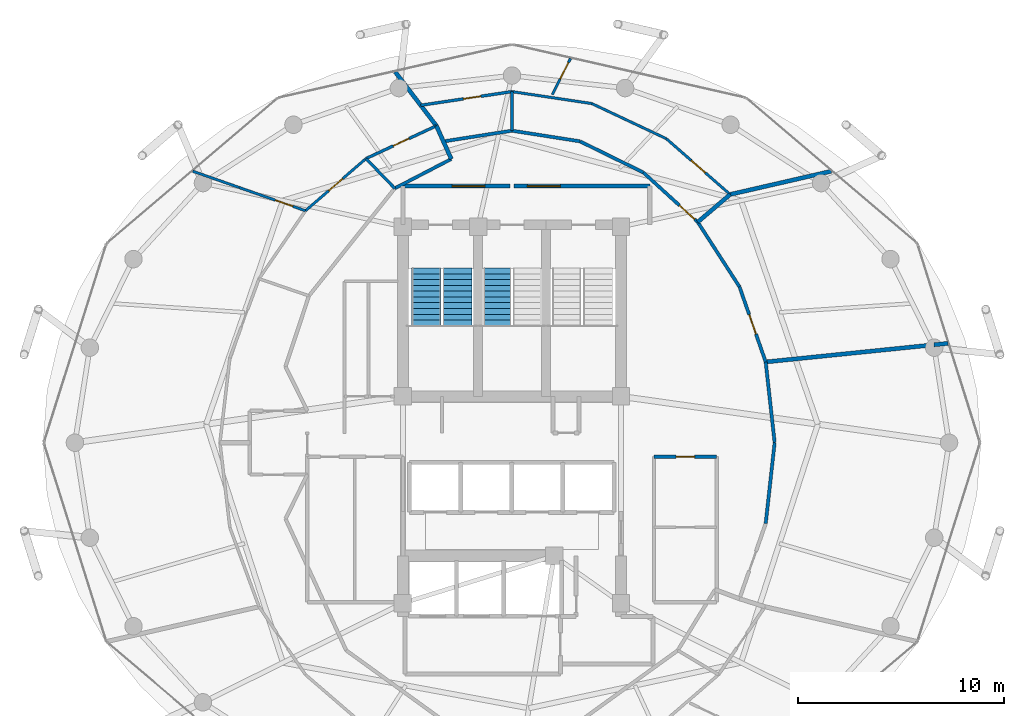
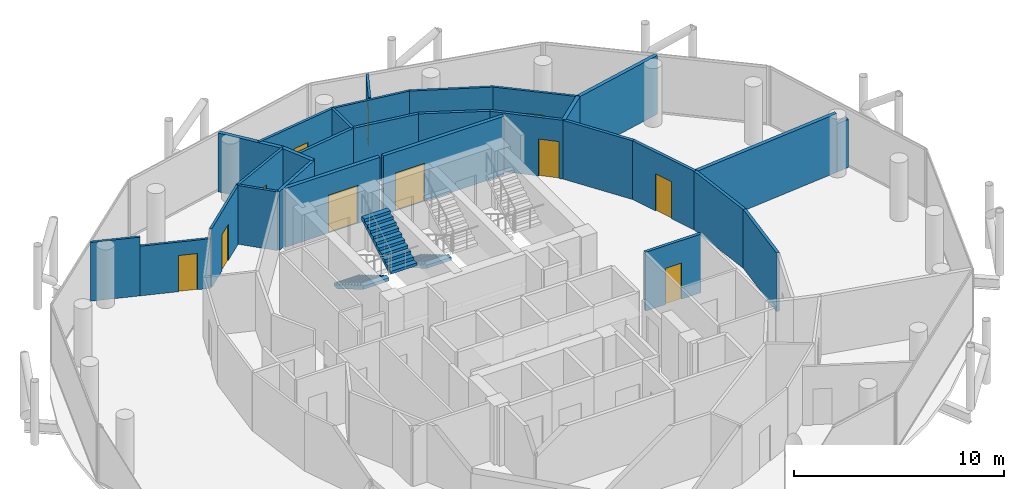
# One storey, part 25 of 27: 29 walls, 11 doors, 3 stair flights, 11 openings, 2 elements without a shape of their own.
"""IFC4 building model written with IfcOpenShell, lengths in metres."""

from ifc_helpers import new_model, si_unit, direction, frame, frame_2d, origin, place, context, subcontext, project, spatial, polyline, rectangle, outline, extrude, material, layer, layer_set, type_object, element, fill, aggregate, save


model = new_model("IFC4")

# Units and contexts
model_context = context("Model", 3, precision=1e-05, world=origin(), true_north=direction((0.0, 1.0)))
body_context = subcontext(model_context, "Body", "Model", "MODEL_VIEW")
ifc_project = project(units=[si_unit("LENGTHUNIT", "METRE"), si_unit("AREAUNIT", "SQUARE_METRE"), si_unit("VOLUMEUNIT", "CUBIC_METRE"), si_unit("PLANEANGLEUNIT", "RADIAN"), si_unit("MASSUNIT", "GRAM", prefix="KILO")], contexts=[model_context])

# Site, building, storey
site_placement = place(None, origin())
site = spatial("IfcSite", under=ifc_project, at=site_placement, CompositionType="ELEMENT")
building_placement = place(site_placement, origin())
building = spatial("IfcBuilding", under=site, at=building_placement, Name="Nuhasar Tower", CompositionType="ELEMENT")
storey_placement = place(building_placement, frame((0.0, 0.0, 215.449951171875)))
storey = spatial("IfcBuildingStorey", under=building, at=storey_placement, Name="L52", CompositionType="ELEMENT", Elevation=215.449951171875)

# Wall, opening, door
ifc_material_1 = material(Name="Gypsum Board", Category="gypsum")
ifc_layer_1 = layer(ifc_material_1, 0.159912109375)
ifc_layer_set_1 = layer_set([ifc_layer_1], Name="Gypsum Board")
wall_type_1 = type_object("IfcWallType", Name="WL-CORR-160", PredefinedType="PARTITIONING", material=ifc_layer_set_1)
wall_1_placement = place(storey_placement, frame((48.949951171875, 26.1201171875, 0.0), z_axis=(0.0, 0.0, 1.0), x_axis=(-1.0, 0.0, 0.0)))
wall_1 = element("IfcWall", 1, at=wall_1_placement, inside=storey, type_object=wall_type_1, Name="L52 Interior Partition RECL-B2-N", PredefinedType="PARTITIONING", context=body_context, shape_type="SweptSolid", body=[
    extrude(rectangle(XDim=3.050048828125, YDim=0.159912109375, at=frame_2d((1.52490234375, 0.0))), origin(), (0.0, 0.0, 1.0), 3.41015625),
])
opening_1_placement = place(wall_1_placement, frame((1.074951171875, 0.0, 0.0)))
opening_1 = element("IfcOpeningElement", 2, at=opening_1_placement, cuts=wall_1, Name="Opening DR-01", PredefinedType="OPENING", context=body_context, shape_type="SweptSolid", body=[
    extrude(rectangle(XDim=0.89990234375, YDim=2.10009765625, at=frame_2d((0.449951171875, 1.050048828125))), frame((0.0, 0.08984375, 0.0), z_axis=(0.0, -1.0, 0.0), x_axis=(1.0, 0.0, 0.0)), (0.0, 0.0, 1.0), 0.179931640625),
])
ifc_material_2 = material(Name="Timber Oak", Category="wood")
door_type_1 = type_object("IfcDoorType", Name="DR-ROOM-900", OperationType="NOTDEFINED", PredefinedType="DOOR", material=ifc_material_2)
door_1_placement = place(opening_1_placement, origin())
door_1 = element("IfcDoor", 3, at=door_1_placement, inside=storey, type_object=door_type_1, Name="L52 Utility Room Door", OperationType="SINGLE_SWING_LEFT", OverallHeight=2.10009765625, OverallWidth=0.89990234375, PredefinedType="DOOR", context=body_context, shape_type="SweptSolid", body=[
    extrude(rectangle(XDim=0.89990234375, YDim=2.10009765625, at=frame_2d((0.449951171875, 1.050048828125))), frame((0.0, 0.02490234375, 0.0), z_axis=(0.0, -1.0, 0.0), x_axis=(1.0, 0.0, 0.0)), (0.0, 0.0, 1.0), 0.050048828125),
])
fill(opening_1, door_1)

# Walls
for number, where, z_axis, x_axis, name in (
    (4, (51.3349609375, 22.8740234375, 0.0), (0.0, 0.0, 1.0), (0.110139823093, 0.993916102782, 0.0), "L52 Interior Partition CORR-46"),
    (5, (51.77001953125, 26.800048828125, 0.0), (0.0, 0.0, 1.0), (-0.110139823093, 0.993916102782, 0.0), "L52 Interior Partition CORR-00"),
):
    element("IfcWall", number, at=place(storey_placement, frame(where, z_axis=z_axis, x_axis=x_axis)), inside=storey, type_object=wall_type_1, Name=name, PredefinedType="PARTITIONING", context=body_context, shape_type="SweptSolid", body=[
        extrude(rectangle(XDim=3.949951171875, YDim=0.159912109375, at=frame_2d((1.97509765625, 0.0))), origin(), (0.0, 0.0, 1.0), 3.41015625),
    ])

# Wall, opening, door
wall_2_placement = place(storey_placement, frame((50.05908203125, 34.385009765625, 0.0), z_axis=(0.0, 0.0, 1.0), x_axis=(0.32925850992, -0.944239817867, 0.0)))
wall_2 = element("IfcWall", 6, at=wall_2_placement, inside=storey, type_object=wall_type_1, Name="L52 Interior Partition CORR-02", PredefinedType="PARTITIONING", context=body_context, shape_type="SweptSolid", body=[
    extrude(rectangle(XDim=3.875, YDim=0.159912109375, at=frame_2d((1.9375, 0.0))), origin(), (0.0, 0.0, 1.0), 3.41015625),
])
opening_2_placement = place(wall_2_placement, frame((1.43798828125, 0.0, 0.0)))
opening_2 = element("IfcOpeningElement", 7, at=opening_2_placement, cuts=wall_2, Name="Opening DU-02", PredefinedType="OPENING", context=body_context, shape_type="SweptSolid", body=[
    extrude(rectangle(XDim=1.0, YDim=2.14990234375, at=frame_2d((0.5, 1.074951171875))), frame((0.0, 0.08984375, 0.0), z_axis=(0.0, -1.0, 0.0), x_axis=(1.0, 0.0, 0.0)), (0.0, 0.0, 1.0), 0.179931640625),
])
door_type_2 = type_object("IfcDoorType", Name="DR-FLAT-FD60-1000", OperationType="NOTDEFINED", PredefinedType="DOOR", material=ifc_material_2)
door_2_placement = place(opening_2_placement, origin())
door_2 = element("IfcDoor", 8, at=door_2_placement, inside=storey, type_object=door_type_2, Name="L52 Sky Yoga Wellness Studio Entrance Door", OperationType="SINGLE_SWING_LEFT", OverallHeight=2.14990234375, OverallWidth=1.0, PredefinedType="DOOR", context=body_context, shape_type="SweptSolid", body=[
    extrude(rectangle(XDim=1.0, YDim=2.14990234375, at=frame_2d((0.5, 1.074951171875))), frame((0.0, 0.02490234375, 0.0), z_axis=(0.0, -1.0, 0.0), x_axis=(1.0, 0.0, 0.0)), (0.0, 0.0, 1.0), 0.050048828125),
])
fill(opening_2, door_2)

# Wall
wall_3_placement = place(storey_placement, frame((50.05908203125, 34.385009765625, 0.0), z_axis=(0.0, 0.0, 1.0), x_axis=(-0.542485127432, 0.840065406094, 0.0)))
element("IfcWall", 9, at=wall_3_placement, inside=storey, type_object=wall_type_1, Name="L52 Interior Partition CORR-04", PredefinedType="PARTITIONING", context=body_context, shape_type="SweptSolid", body=[
    extrude(rectangle(XDim=3.740234375, YDim=0.159912109375, at=frame_2d((1.8701171875, 0.0))), origin(), (0.0, 0.0, 1.0), 3.41015625),
])

# Wall, opening, door
wall_4_placement = place(storey_placement, frame((45.385009765625, 39.93798828125, 0.0), z_axis=(0.0, 0.0, 1.0), x_axis=(0.739059723008, -0.673639908132, 0.0)))
wall_4 = element("IfcWall", 10, at=wall_4_placement, inside=storey, type_object=wall_type_1, Name="L52 Interior Partition CORR-06", PredefinedType="PARTITIONING", context=body_context, shape_type="SweptSolid", body=[
    extrude(rectangle(XDim=3.578857421875, YDim=0.159912109375, at=frame_2d((1.78955078125, 0.0))), origin(), (0.0, 0.0, 1.0), 3.41015625),
])
opening_3_placement = place(wall_4_placement, frame((2.37890625, 0.0, 0.0)))
opening_3 = element("IfcOpeningElement", 11, at=opening_3_placement, cuts=wall_4, Name="Opening DU-02", PredefinedType="OPENING", context=body_context, shape_type="SweptSolid", body=[
    extrude(rectangle(XDim=1.0, YDim=2.14990234375, at=frame_2d((0.5, 1.074951171875))), frame((0.0, 0.08984375, 0.0), z_axis=(0.0, -1.0, 0.0), x_axis=(1.0, 0.0, 0.0)), (0.0, 0.0, 1.0), 0.179931640625),
])
door_3_placement = place(opening_3_placement, origin())
door_3 = element("IfcDoor", 12, at=door_3_placement, inside=storey, type_object=door_type_2, Name="L52 Two-Bed Apartment 01 Entrance Door", OperationType="SINGLE_SWING_RIGHT", OverallHeight=2.14990234375, OverallWidth=1.0, PredefinedType="DOOR", context=body_context, shape_type="SweptSolid", body=[
    extrude(rectangle(XDim=1.0, YDim=2.14990234375, at=frame_2d((0.5, 1.074951171875))), frame((0.0, 0.02490234375, 0.0), z_axis=(0.0, -1.0, 0.0), x_axis=(1.0, 0.0, 0.0)), (0.0, 0.0, 1.0), 0.050048828125),
])
fill(opening_3, door_3)

# Walls
wall_5_placement = place(storey_placement, frame((45.385009765625, 39.93798828125, 0.0), z_axis=(0.0, 0.0, 1.0), x_axis=(-0.897338421719, 0.441343128311, 0.0)))
element("IfcWall", 13, at=wall_5_placement, inside=storey, type_object=wall_type_1, Name="L52 Interior Partition CORR-08", PredefinedType="PARTITIONING", context=body_context, shape_type="SweptSolid", body=[
    extrude(rectangle(XDim=3.432373046875, YDim=0.159912109375, at=frame_2d((1.71630859375, 0.0))), origin(), (0.0, 0.0, 1.0), 3.41015625),
])
wall_6_placement = place(storey_placement, frame((42.304931640625, 41.452880859375, 0.0), z_axis=(0.0, 0.0, 1.0), x_axis=(-0.987980356559, 0.154579478111, 0.0)))
element("IfcWall", 14, at=wall_6_placement, inside=storey, type_object=wall_type_1, Name="L52 Interior Partition CORR-10", PredefinedType="PARTITIONING", context=body_context, shape_type="SweptSolid", body=[
    extrude(rectangle(XDim=3.34521484375, YDim=0.159912109375, at=frame_2d((1.672607421875, 0.0))), origin(), (0.0, 0.0, 1.0), 3.41015625),
])
wall_7_placement = place(storey_placement, frame((39.0, 41.969970703125, 0.0), z_axis=(0.0, 0.0, 1.0), x_axis=(-0.987972011059, -0.154632808173, 0.0)))
element("IfcWall", 15, at=wall_7_placement, inside=storey, type_object=wall_type_1, Name="L52 Interior Partition CORR-12", PredefinedType="PARTITIONING", context=body_context, shape_type="SweptSolid", body=[
    extrude(rectangle(XDim=3.37548828125, YDim=0.159912109375, at=frame_2d((1.687744140625, 0.0))), origin(), (0.0, 0.0, 1.0), 3.41015625),
])
wall_8_placement = place(storey_placement, frame((36.049072265625, 40.593017578125, 0.0), z_axis=(0.0, 0.0, 1.0), x_axis=(-0.887674575788, -0.460471331898, 0.0)))
element("IfcWall", 16, at=wall_8_placement, inside=storey, type_object=wall_type_1, Name="L52 Interior Partition UWEST-CORE-N1-14", PredefinedType="PARTITIONING", context=body_context, shape_type="SweptSolid", body=[
    extrude(rectangle(XDim=3.096923828125, YDim=0.159912109375, at=frame_2d((1.54833984375, 0.0))), origin(), (0.0, 0.0, 1.0), 3.41015625),
])

# Wall, opening, door
ifc_material_3 = material(Name="Concrete C45/55", Category="concrete")
ifc_layer_2 = layer(ifc_material_3, 0.199951171875)
ifc_layer_set_2 = layer_set([ifc_layer_2], Name="Concrete C45/55")
wall_type_2 = type_object("IfcWallType", Name="WL-LOBBY-200", PredefinedType="SOLIDWALL", material=ifc_layer_set_2)
wall_9_placement = place(storey_placement, frame((38.89990234375, 39.280029296875, 0.0), z_axis=(0.0, 0.0, 1.0), x_axis=(-1.0, 0.0, 0.0)))
wall_9 = element("IfcWall", 17, at=wall_9_placement, inside=storey, type_object=wall_type_2, Name="L52 Interior Partition NSL-N1", PredefinedType="SOLIDWALL", context=body_context, shape_type="SweptSolid", body=[
    extrude(rectangle(XDim=5.199951171875, YDim=0.199951171875, at=frame_2d((2.60009765625, 0.0))), origin(), (0.0, 0.0, 1.0), 3.41015625),
])
opening_4_placement = place(wall_9_placement, frame((1.216064453125, 0.0, 0.0)))
opening_4 = element("IfcOpeningElement", 18, at=opening_4_placement, cuts=wall_9, Name="Opening DC-01", PredefinedType="OPENING", context=body_context, shape_type="SweptSolid", body=[
    extrude(rectangle(XDim=1.60009765625, YDim=2.199951171875, at=frame_2d((0.800048828125, 1.10009765625))), frame((0.0, 0.10986328125, 0.0), z_axis=(0.0, -1.0, 0.0), x_axis=(1.0, 0.0, 0.0)), (0.0, 0.0, 1.0), 0.219970703125),
])
ifc_material_4 = material(Name="Steel S355", Category="steel")
door_type_3 = type_object("IfcDoorType", Name="DR-CORR-FD60-1600", OperationType="DOUBLE_DOOR_SINGLE_SWING", PredefinedType="DOOR", material=ifc_material_4)
door_4_placement = place(opening_4_placement, origin())
door_4 = element("IfcDoor", 19, at=door_4_placement, inside=storey, type_object=door_type_3, Name="L52 North Stair Lobby West Door", OperationType="DOUBLE_DOOR_SINGLE_SWING", OverallHeight=2.199951171875, OverallWidth=1.60009765625, PredefinedType="DOOR", context=body_context, shape_type="SweptSolid", body=[
    extrude(rectangle(XDim=1.60009765625, YDim=2.199951171875, at=frame_2d((0.800048828125, 1.10009765625))), frame((0.0, 0.02490234375, 0.0), z_axis=(0.0, -1.0, 0.0), x_axis=(1.0, 0.0, 0.0)), (0.0, 0.0, 1.0), 0.050048828125),
])
fill(opening_4, door_4)

wall_10_placement = place(storey_placement, frame((45.699951171875, 39.280029296875, 0.0), z_axis=(0.0, 0.0, 1.0), x_axis=(-1.0, 0.0, 0.0)))
wall_10 = element("IfcWall", 20, at=wall_10_placement, inside=storey, type_object=wall_type_2, Name="L52 Interior Partition NSL-N2", PredefinedType="SOLIDWALL", context=body_context, shape_type="SweptSolid", body=[
    extrude(rectangle(XDim=6.599853515625, YDim=0.199951171875, at=frame_2d((3.2998046875, 0.0))), origin(), (0.0, 0.0, 1.0), 3.41015625),
])
opening_5_placement = place(wall_10_placement, frame((4.35009765625, 0.0, 0.0)))
opening_5 = element("IfcOpeningElement", 21, at=opening_5_placement, cuts=wall_10, Name="Opening DC-01", PredefinedType="OPENING", context=body_context, shape_type="SweptSolid", body=[
    extrude(rectangle(XDim=1.60009765625, YDim=2.199951171875, at=frame_2d((0.800048828125, 1.10009765625))), frame((0.0, 0.10986328125, 0.0), z_axis=(0.0, -1.0, 0.0), x_axis=(1.0, 0.0, 0.0)), (0.0, 0.0, 1.0), 0.219970703125),
])
door_5_placement = place(opening_5_placement, origin())
door_5 = element("IfcDoor", 22, at=door_5_placement, inside=storey, type_object=door_type_3, Name="L52 North Stair Lobby East Door", OperationType="DOUBLE_DOOR_SINGLE_SWING", OverallHeight=2.199951171875, OverallWidth=1.60009765625, PredefinedType="DOOR", context=body_context, shape_type="SweptSolid", body=[
    extrude(rectangle(XDim=1.60009765625, YDim=2.199951171875, at=frame_2d((0.800048828125, 1.10009765625))), frame((0.0, 0.02490234375, 0.0), z_axis=(0.0, -1.0, 0.0), x_axis=(1.0, 0.0, 0.0)), (0.0, 0.0, 1.0), 0.050048828125),
])
fill(opening_5, door_5)

ifc_layer_3 = layer(ifc_material_1, 0.125)
ifc_layer_set_3 = layer_set([ifc_layer_3], Name="Gypsum Board")
wall_type_3 = type_object("IfcWallType", Name="WL-PART-125", PredefinedType="PARTITIONING", material=ifc_layer_set_3)
wall_11_placement = place(storey_placement, frame((46.5, 41.5830078125, 0.0), z_axis=(0.0, 0.0, 1.0), x_axis=(0.753258291351, -0.657724825828, 0.0)))
wall_11 = element("IfcWall", 23, at=wall_11_placement, inside=storey, type_object=wall_type_3, Name="L52 Interior Partition UMID-03-A-06", PredefinedType="PARTITIONING", context=body_context, shape_type="SweptSolid", body=[
    extrude(rectangle(XDim=4.124755859375, YDim=0.125, at=frame_2d((2.0625, 0.0))), origin(), (0.0, 0.0, 1.0), 3.41015625),
])
opening_6_placement = place(wall_11_placement, frame((1.612060546875, 0.0, 0.0)))
opening_6 = element("IfcOpeningElement", 24, at=opening_6_placement, cuts=wall_11, Name="Opening DR-01", PredefinedType="OPENING", context=body_context, shape_type="SweptSolid", body=[
    extrude(rectangle(XDim=0.89990234375, YDim=2.10009765625, at=frame_2d((0.449951171875, 1.050048828125))), frame((0.0, 0.072509765625, 0.0), z_axis=(0.0, -1.0, 0.0), x_axis=(1.0, 0.0, 0.0)), (0.0, 0.0, 1.0), 0.14501953125),
])
door_6_placement = place(opening_6_placement, origin())
door_6 = element("IfcDoor", 25, at=door_6_placement, inside=storey, type_object=door_type_1, Name="L52 U03 Living Door", OperationType="SINGLE_SWING_LEFT", OverallHeight=2.10009765625, OverallWidth=0.89990234375, PredefinedType="DOOR", context=body_context, shape_type="SweptSolid", body=[
    extrude(rectangle(XDim=0.89990234375, YDim=2.10009765625, at=frame_2d((0.449951171875, 1.050048828125))), frame((0.0, 0.02490234375, 0.0), z_axis=(0.0, -1.0, 0.0), x_axis=(1.0, 0.0, 0.0)), (0.0, 0.0, 1.0), 0.050048828125),
])
fill(opening_6, door_6)

# Walls
wall_12_placement = place(storey_placement, frame((46.5, 41.5830078125, 0.0), z_axis=(0.0, 0.0, 1.0), x_axis=(-0.904575079673, 0.426314350256, 0.0)))
element("IfcWall", 26, at=wall_12_placement, inside=storey, type_object=wall_type_3, Name="L52 Interior Partition UMID-03-A-08", PredefinedType="PARTITIONING", context=body_context, shape_type="SweptSolid", body=[
    extrude(rectangle(XDim=3.99951171875, YDim=0.125, at=frame_2d((1.999755859375, 0.0))), origin(), (0.0, 0.0, 1.0), 3.41015625),
])
wall_13_placement = place(storey_placement, frame((42.882080078125, 43.2880859375, 0.0), z_axis=(0.0, 0.0, 1.0), x_axis=(-0.988946842781, 0.148270503314, 0.0)))
element("IfcWall", 27, at=wall_13_placement, inside=storey, type_object=wall_type_3, Name="L52 Interior Partition UMID-03-A-10", PredefinedType="PARTITIONING", context=body_context, shape_type="SweptSolid", body=[
    extrude(rectangle(XDim=3.925537109375, YDim=0.125, at=frame_2d((1.962890625, 0.0))), origin(), (0.0, 0.0, 1.0), 3.41015625),
])

# Wall, opening, door
wall_14_placement = place(storey_placement, frame((40.9580078125, 43.72412109375, 0.0), z_axis=(0.0, 0.0, 1.0), x_axis=(0.449698449796, 0.893180443276, 0.0)))
wall_14 = element("IfcWall", 28, at=wall_14_placement, inside=storey, type_object=wall_type_3, Name="L52 Interior Partition UOUT-03-B1", PredefinedType="PARTITIONING", context=body_context, shape_type="SweptSolid", body=[
    extrude(rectangle(XDim=1.963623046875, YDim=0.125, at=frame_2d((0.98193359375, 0.0))), origin(), (0.0, 0.0, 1.0), 3.41015625),
])
opening_7_placement = place(wall_14_placement, frame((0.85009765625, 0.0, 0.0)))
opening_7 = element("IfcOpeningElement", 29, at=opening_7_placement, cuts=wall_14, Name="Opening DR-01", PredefinedType="OPENING", context=body_context, shape_type="SweptSolid", body=[
    extrude(rectangle(XDim=0.89990234375, YDim=2.10009765625, at=frame_2d((0.449951171875, 1.050048828125))), frame((0.0, 0.072509765625, 0.0), z_axis=(0.0, -1.0, 0.0), x_axis=(1.0, 0.0, 0.0)), (0.0, 0.0, 1.0), 0.14501953125),
])
door_7_placement = place(opening_7_placement, origin())
door_7 = element("IfcDoor", 30, at=door_7_placement, inside=storey, type_object=door_type_1, Name="L52 U03 Bedroom Door", OperationType="SINGLE_SWING_RIGHT", OverallHeight=2.10009765625, OverallWidth=0.89990234375, PredefinedType="DOOR", context=body_context, shape_type="SweptSolid", body=[
    extrude(rectangle(XDim=0.89990234375, YDim=2.10009765625, at=frame_2d((0.449951171875, 1.050048828125))), frame((0.0, 0.02490234375, 0.0), z_axis=(0.0, -1.0, 0.0), x_axis=(1.0, 0.0, 0.0)), (0.0, 0.0, 1.0), 0.050048828125),
])
fill(opening_7, door_7)

wall_15_placement = place(storey_placement, frame((28.958984375, 38.077880859375, 0.0), z_axis=(0.0, 0.0, 1.0), x_axis=(0.757424973134, 0.652922208286, 0.0)))
wall_15 = element("IfcWall", 31, at=wall_15_placement, inside=storey, type_object=wall_type_3, Name="L52 Interior Partition USM-1-K-16", PredefinedType="PARTITIONING", context=body_context, shape_type="SweptSolid", body=[
    extrude(rectangle(XDim=3.8828125, YDim=0.125, at=frame_2d((1.94140625, 0.0))), origin(), (0.0, 0.0, 1.0), 3.41015625),
])
opening_8_placement = place(wall_15_placement, frame((1.490966796875, 0.0, 0.0)))
opening_8 = element("IfcOpeningElement", 32, at=opening_8_placement, cuts=wall_15, Name="Opening DR-01", PredefinedType="OPENING", context=body_context, shape_type="SweptSolid", body=[
    extrude(rectangle(XDim=0.89990234375, YDim=2.10009765625, at=frame_2d((0.449951171875, 1.050048828125))), frame((0.0, 0.072509765625, 0.0), z_axis=(0.0, -1.0, 0.0), x_axis=(1.0, 0.0, 0.0)), (0.0, 0.0, 1.0), 0.14501953125),
])
door_8_placement = place(opening_8_placement, origin())
door_8 = element("IfcDoor", 33, at=door_8_placement, inside=storey, type_object=door_type_1, Name="L52 North-West Sky Home Kitchen Door", OperationType="SINGLE_SWING_LEFT", OverallHeight=2.10009765625, OverallWidth=0.89990234375, PredefinedType="DOOR", context=body_context, shape_type="SweptSolid", body=[
    extrude(rectangle(XDim=0.89990234375, YDim=2.10009765625, at=frame_2d((0.449951171875, 1.050048828125))), frame((0.0, 0.02490234375, 0.0), z_axis=(0.0, -1.0, 0.0), x_axis=(1.0, 0.0, 0.0)), (0.0, 0.0, 1.0), 0.050048828125),
])
fill(opening_8, door_8)

wall_16_placement = place(storey_placement, frame((28.958984375, 38.077880859375, 0.0), z_axis=(0.0, 0.0, 1.0), x_axis=(-0.943735775688, 0.33070044706, 0.0)))
wall_16 = element("IfcWall", 34, at=wall_16_placement, inside=storey, type_object=wall_type_3, Name="L52 Interior Partition USO-1-BD", PredefinedType="PARTITIONING", context=body_context, shape_type="SweptSolid", body=[
    extrude(rectangle(XDim=3.41748046875, YDim=0.125, at=frame_2d((1.708740234375, 0.0))), origin(), (0.0, 0.0, 1.0), 2.880126953125),
])
opening_9_placement = place(wall_16_placement, frame((0.64990234375, 0.0, 0.0)))
opening_9 = element("IfcOpeningElement", 35, at=opening_9_placement, cuts=wall_16, Name="Opening DR-01", PredefinedType="OPENING", context=body_context, shape_type="SweptSolid", body=[
    extrude(rectangle(XDim=0.89990234375, YDim=2.10009765625, at=frame_2d((0.449951171875, 1.050048828125))), frame((0.0, 0.072509765625, 0.0), z_axis=(0.0, -1.0, 0.0), x_axis=(1.0, 0.0, 0.0)), (0.0, 0.0, 1.0), 0.14501953125),
])
door_9_placement = place(opening_9_placement, origin())
door_9 = element("IfcDoor", 36, at=door_9_placement, inside=storey, type_object=door_type_1, Name="L52 North-West Sky Home Master Bedroom Door", OperationType="SINGLE_SWING_LEFT", OverallHeight=2.10009765625, OverallWidth=0.89990234375, PredefinedType="DOOR", context=body_context, shape_type="SweptSolid", body=[
    extrude(rectangle(XDim=0.89990234375, YDim=2.10009765625, at=frame_2d((0.449951171875, 1.050048828125))), frame((0.0, 0.02490234375, 0.0), z_axis=(0.0, -1.0, 0.0), x_axis=(1.0, 0.0, 0.0)), (0.0, 0.0, 1.0), 0.050048828125),
])
fill(opening_9, door_9)

# Walls
wall_17_placement = place(storey_placement, frame((25.73388671875, 39.2080078125, 0.0), z_axis=(0.0, 0.0, 1.0), x_axis=(-0.943622379066, 0.331023874857, 0.0)))
element("IfcWall", 37, at=wall_17_placement, inside=storey, type_object=wall_type_3, Name="L52 Interior Partition USO-1-BD", PredefinedType="PARTITIONING", context=body_context, shape_type="SweptSolid", body=[
    extrude(rectangle(XDim=2.3896484375, YDim=0.125, at=frame_2d((1.19482421875, 0.0))), origin(), (0.0, 0.0, 1.0), 3.41015625),
])
ifc_material_5 = material(Name="Concrete C40/50 precast", Category="concrete")
ifc_layer_4 = layer(ifc_material_5, 0.199951171875)
ifc_layer_set_4 = layer_set([ifc_layer_4], Name="Concrete C40/50 precast")
wall_type_4 = type_object("IfcWallType", Name="WL-UNIT-200", PredefinedType="PARTITIONING", material=ifc_layer_set_4)
wall_18_placement = place(storey_placement, frame((36.049072265625, 40.593017578125, 0.0), z_axis=(0.0, 0.0, 1.0), x_axis=(-0.409337233456, 0.912383159263, 0.0)))
element("IfcWall", 38, at=wall_18_placement, inside=storey, type_object=wall_type_4, Name="L52 Interior Partition URAD-14-NW-S1", PredefinedType="PARTITIONING", context=body_context, shape_type="SweptSolid", body=[
    extrude(rectangle(XDim=1.76904296875, YDim=0.199951171875, at=frame_2d((0.884521484375, 0.0))), origin(), (0.0, 0.0, 1.0), 3.41015625),
])
wall_19_placement = place(storey_placement, frame((35.324951171875, 42.20703125, 0.0), z_axis=(0.0, 0.0, 1.0), x_axis=(-0.607307427022, 0.794466921328, 0.0)))
element("IfcWall", 39, at=wall_19_placement, inside=storey, type_object=wall_type_4, Name="L52 Interior Partition URAD-14-NW-S2", PredefinedType="PARTITIONING", context=body_context, shape_type="SweptSolid", body=[
    extrude(rectangle(XDim=3.302978515625, YDim=0.199951171875, at=frame_2d((1.6513671875, 0.0))), origin(), (0.0, 0.0, 1.0), 3.41015625),
])
wall_20_placement = place(storey_placement, frame((51.3349609375, 30.72607421875, 0.0), z_axis=(0.0, 0.0, 1.0), x_axis=(0.994837199953, 0.101483720809, 0.0)))
element("IfcWall", 40, at=wall_20_placement, inside=storey, type_object=wall_type_4, Name="L52 Interior Partition URAD-02", PredefinedType="PARTITIONING", context=body_context, shape_type="SweptSolid", body=[
    extrude(rectangle(XDim=8.2275390625, YDim=0.199951171875, at=frame_2d((4.11376953125, 0.0))), origin(), (0.0, 0.0, 1.0), 3.41015625),
])
wall_21_placement = place(storey_placement, frame((59.52001953125, 31.56103515625, 0.0), z_axis=(0.0, 0.0, 1.0), x_axis=(0.994776809631, 0.102073987974, 0.0)))
element("IfcWall", 41, at=wall_21_placement, inside=storey, type_object=wall_type_4, Name="L52 Interior Partition URAD-02", PredefinedType="PARTITIONING", context=body_context, shape_type="SweptSolid", body=[
    extrude(rectangle(XDim=0.6865234375, YDim=0.199951171875, at=frame_2d((0.34326171875, 0.0))), origin(), (0.0, 0.0, 1.0), 2.795166015625),
])
wall_22_placement = place(storey_placement, frame((48.030029296875, 37.527099609375, 0.0), z_axis=(0.0, 0.0, 1.0), x_axis=(0.761307875953, 0.64839055978, 0.0)))
element("IfcWall", 42, at=wall_22_placement, inside=storey, type_object=wall_type_4, Name="L52 Interior Partition URAD-06-S1", PredefinedType="PARTITIONING", context=body_context, shape_type="SweptSolid", body=[
    extrude(rectangle(XDim=2.0712890625, YDim=0.199951171875, at=frame_2d((1.03564453125, 0.0))), origin(), (0.0, 0.0, 1.0), 3.41015625),
])
wall_23_placement = place(storey_placement, frame((49.60693359375, 38.8701171875, 0.0), z_axis=(0.0, 0.0, 1.0), x_axis=(0.974622401259, 0.223855254492, 0.0)))
element("IfcWall", 43, at=wall_23_placement, inside=storey, type_object=wall_type_4, Name="L52 Interior Partition URAD-06-S2", PredefinedType="PARTITIONING", context=body_context, shape_type="SweptSolid", body=[
    extrude(rectangle(XDim=5.04296875, YDim=0.199951171875, at=frame_2d((2.521484375, 0.0))), origin(), (0.0, 0.0, 1.0), 3.41015625),
])

# Wall, opening, door
ifc_layer_5 = layer(ifc_material_5, 0.139892578125)
ifc_layer_set_5 = layer_set([ifc_layer_5], Name="Concrete C40/50 precast")
wall_type_5 = type_object("IfcWallType", Name="WL-WET-140", PredefinedType="PARTITIONING", material=ifc_layer_set_5)
wall_24_placement = place(storey_placement, frame((34.56201171875, 43.205078125, 0.0), z_axis=(0.0, 0.0, 1.0), x_axis=(0.98895789125, 0.148196792593, 0.0)))
wall_24 = element("IfcWall", 44, at=wall_24_placement, inside=storey, type_object=wall_type_5, Name="L52 Interior Partition UMID-03-B-12", PredefinedType="PARTITIONING", context=body_context, shape_type="SweptSolid", body=[
    extrude(rectangle(XDim=4.487548828125, YDim=0.139892578125, at=frame_2d((2.24365234375, 0.0))), origin(), (0.0, 0.0, 1.0), 3.41015625),
])
opening_10_placement = place(wall_24_placement, frame((2.10009765625, 0.0, 0.0)))
opening_10 = element("IfcOpeningElement", 45, at=opening_10_placement, cuts=wall_24, Name="Opening DB-01", PredefinedType="OPENING", context=body_context, shape_type="SweptSolid", body=[
    extrude(rectangle(XDim=0.85009765625, YDim=2.10009765625, at=frame_2d((0.425048828125, 1.050048828125))), frame((0.0, 0.080078125, 0.0), z_axis=(0.0, -1.0, 0.0), x_axis=(1.0, 0.0, 0.0)), (0.0, 0.0, 1.0), 0.159912109375),
])
door_type_4 = type_object("IfcDoorType", Name="DR-BATH-850", OperationType="NOTDEFINED", PredefinedType="DOOR", material=ifc_material_2)
door_10_placement = place(opening_10_placement, origin())
door_10 = element("IfcDoor", 46, at=door_10_placement, inside=storey, type_object=door_type_4, Name="L52 U03 Bathroom Door", OperationType="SINGLE_SWING_RIGHT", OverallHeight=2.10009765625, OverallWidth=0.85009765625, PredefinedType="DOOR", context=body_context, shape_type="SweptSolid", body=[
    extrude(rectangle(XDim=0.85009765625, YDim=2.10009765625, at=frame_2d((0.425048828125, 1.050048828125))), frame((0.0, 0.02490234375, 0.0), z_axis=(0.0, -1.0, 0.0), x_axis=(1.0, 0.0, 0.0)), (0.0, 0.0, 1.0), 0.050048828125),
])
fill(opening_10, door_10)

# Walls
wall_25_placement = place(storey_placement, frame((39.0, 41.969970703125, 0.0), z_axis=(0.0, 0.0, 1.0), x_axis=(0.0, 1.0, 0.0)))
element("IfcWall", 47, at=wall_25_placement, inside=storey, type_object=wall_type_5, Name="L52 Interior Partition UIN-03-K", PredefinedType="PARTITIONING", context=body_context, shape_type="SweptSolid", body=[
    extrude(rectangle(XDim=1.900146484375, YDim=0.139892578125, at=frame_2d((0.9501953125, 0.0))), origin(), (0.0, 0.0, 1.0), 3.41015625),
])
wall_26_placement = place(storey_placement, frame((33.300048828125, 39.1669921875, 0.0), z_axis=(0.0, 0.0, 1.0), x_axis=(-0.695613346208, 0.718416364358, 0.0)))
element("IfcWall", 48, at=wall_26_placement, inside=storey, type_object=wall_type_5, Name="L52 Interior Partition USI-1-BK", PredefinedType="PARTITIONING", context=body_context, shape_type="SweptSolid", body=[
    extrude(rectangle(XDim=2.012939453125, YDim=0.139892578125, at=frame_2d((1.00634765625, 0.0))), origin(), (0.0, 0.0, 1.0), 3.41015625),
])

# Wall, opening, door
wall_27_placement = place(storey_placement, frame((31.89990234375, 40.613037109375, 0.0), z_axis=(0.0, 0.0, 1.0), x_axis=(0.906625113427, 0.421937085007, 0.0)))
wall_27 = element("IfcWall", 49, at=wall_27_placement, inside=storey, type_object=wall_type_5, Name="L52 Interior Partition USM-1-B-14", PredefinedType="PARTITIONING", context=body_context, shape_type="SweptSolid", body=[
    extrude(rectangle(XDim=3.77783203125, YDim=0.139892578125, at=frame_2d((1.888916015625, 0.0))), origin(), (0.0, 0.0, 1.0), 3.41015625),
])
opening_11_placement = place(wall_27_placement, frame((1.464111328125, 0.0, 0.0)))
opening_11 = element("IfcOpeningElement", 50, at=opening_11_placement, cuts=wall_27, Name="Opening DB-01", PredefinedType="OPENING", context=body_context, shape_type="SweptSolid", body=[
    extrude(rectangle(XDim=0.85009765625, YDim=2.10009765625, at=frame_2d((0.425048828125, 1.050048828125))), frame((0.0, 0.080078125, 0.0), z_axis=(0.0, -1.0, 0.0), x_axis=(1.0, 0.0, 0.0)), (0.0, 0.0, 1.0), 0.159912109375),
])
door_11_placement = place(opening_11_placement, origin())
door_11 = element("IfcDoor", 51, at=door_11_placement, inside=storey, type_object=door_type_4, Name="L52 North-West Sky Home En-Suite Door", OperationType="SINGLE_SWING_RIGHT", OverallHeight=2.10009765625, OverallWidth=0.85009765625, PredefinedType="DOOR", context=body_context, shape_type="SweptSolid", body=[
    extrude(rectangle(XDim=0.85009765625, YDim=2.10009765625, at=frame_2d((0.425048828125, 1.050048828125))), frame((0.0, 0.02490234375, 0.0), z_axis=(0.0, -1.0, 0.0), x_axis=(1.0, 0.0, 0.0)), (0.0, 0.0, 1.0), 0.050048828125),
])
fill(opening_11, door_11)

# Stair, stair flights
stair_type_1 = type_object("IfcStairType", Name="STR-ST-01-2F-22R-1659", PredefinedType="HALF_TURN_STAIR", material=ifc_material_3)
stair_1_placement = place(storey_placement, origin())
stair_1 = element("IfcStair", 52, at=stair_1_placement, inside=storey, type_object=stair_type_1, Name="L52 Exit Stair ST-01", PredefinedType="HALF_TURN_STAIR")
stair_flight_type_1 = type_object("IfcStairFlightType", Name="SFL-ST-01-11R-1659", PredefinedType="STRAIGHT", material=ifc_material_3)
stair_flight_1_placement = place(storey_placement, frame((34.830078125, 35.284912109375, 0.0), z_axis=(0.0, 0.0, 1.0), x_axis=(0.0, -1.0, 0.0)))
stair_flight_1 = element("IfcStairFlight", 53, at=stair_flight_1_placement, type_object=stair_flight_type_1, Name="ST-01 flight 1", NumberOfRisers=11, NumberOfTreads=10, PredefinedType="STRAIGHT", RiserHeight=0.165909, TreadLength=0.28, context=body_context, shape_type="SweptSolid", body=[
    extrude(outline(polyline([(0.0, 0.0), (0.0, 0.166015625), (0.280029296875, 0.166015625), (0.280029296875, 0.331787109375), (0.56005859375, 0.331787109375), (0.56005859375, 0.497802734375), (0.840087890625, 0.497802734375), (0.840087890625, 0.66357421875), (1.1201171875, 0.66357421875), (1.1201171875, 0.82958984375), (1.39990234375, 0.82958984375), (1.39990234375, 0.995361328125), (1.679931640625, 0.995361328125), (1.679931640625, 1.161376953125), (1.9599609375, 1.161376953125), (1.9599609375, 1.327392578125), (2.239990234375, 1.327392578125), (2.239990234375, 1.4931640625), (2.52001953125, 1.4931640625), (2.52001953125, 1.6591796875), (2.800048828125, 1.6591796875), (2.800048828125, 1.824951171875), (2.800048828125, 1.47314453125), (0.313720703125, 0.0), (0.0, 0.0)])), frame((0.0, 0.7099609375, 0.0), z_axis=(0.0, -1.0, 0.0), x_axis=(1.0, 0.0, 0.0)), (0.0, 0.0, 1.0), 1.419921875),
])
stair_flight_2_placement = place(storey_placement, frame((36.35009765625, 32.485107421875, 1.824951171875), z_axis=(0.0, 0.0, 1.0), x_axis=(0.0, 1.0, 0.0)))
stair_flight_2 = element("IfcStairFlight", 54, at=stair_flight_2_placement, type_object=stair_flight_type_1, Name="ST-01 flight 2", NumberOfRisers=11, NumberOfTreads=10, PredefinedType="STRAIGHT", RiserHeight=0.165909, TreadLength=0.28, context=body_context, shape_type="SweptSolid", body=[
    extrude(outline(polyline([(0.0, 0.0), (0.0, 0.166015625), (0.280029296875, 0.166015625), (0.280029296875, 0.331787109375), (0.56005859375, 0.331787109375), (0.56005859375, 0.497802734375), (0.840087890625, 0.497802734375), (0.840087890625, 0.66357421875), (1.1201171875, 0.66357421875), (1.1201171875, 0.82958984375), (1.39990234375, 0.82958984375), (1.39990234375, 0.995361328125), (1.679931640625, 0.995361328125), (1.679931640625, 1.161376953125), (1.9599609375, 1.161376953125), (1.9599609375, 1.327392578125), (2.239990234375, 1.327392578125), (2.239990234375, 1.4931640625), (2.52001953125, 1.4931640625), (2.52001953125, 1.6591796875), (2.800048828125, 1.6591796875), (2.800048828125, 1.824951171875), (2.800048828125, 1.47314453125), (0.313720703125, 0.0), (0.0, 0.0)])), frame((0.0, 0.7099609375, 0.0), z_axis=(0.0, -1.0, 0.0), x_axis=(1.0, 0.0, 0.0)), (0.0, 0.0, 1.0), 1.419921875),
])
aggregate(stair_1, [stair_flight_1, stair_flight_2])

# Stair, stair flight
stair_type_2 = type_object("IfcStairType", Name="STR-ST-03-2F-22R-1659", PredefinedType="HALF_TURN_STAIR", material=ifc_material_3)
stair_2_placement = place(storey_placement, origin())
stair_2 = element("IfcStair", 55, at=stair_2_placement, inside=storey, type_object=stair_type_2, Name="L52 Exit Stair ST-03", PredefinedType="HALF_TURN_STAIR")
stair_flight_type_2 = type_object("IfcStairFlightType", Name="SFL-ST-03-11R-1659", PredefinedType="STRAIGHT", material=ifc_material_3)
stair_flight_3_placement = place(storey_placement, frame((38.280029296875, 35.284912109375, 0.0), z_axis=(0.0, 0.0, 1.0), x_axis=(0.0, -1.0, 0.0)))
stair_flight_3 = element("IfcStairFlight", 56, at=stair_flight_3_placement, type_object=stair_flight_type_2, Name="ST-03 flight 1", NumberOfRisers=11, NumberOfTreads=10, PredefinedType="STRAIGHT", RiserHeight=0.165909, TreadLength=0.28, context=body_context, shape_type="SweptSolid", body=[
    extrude(outline(polyline([(0.0, 0.0), (0.0, 0.166015625), (0.280029296875, 0.166015625), (0.280029296875, 0.331787109375), (0.56005859375, 0.331787109375), (0.56005859375, 0.497802734375), (0.840087890625, 0.497802734375), (0.840087890625, 0.66357421875), (1.1201171875, 0.66357421875), (1.1201171875, 0.82958984375), (1.39990234375, 0.82958984375), (1.39990234375, 0.995361328125), (1.679931640625, 0.995361328125), (1.679931640625, 1.161376953125), (1.9599609375, 1.161376953125), (1.9599609375, 1.327392578125), (2.239990234375, 1.327392578125), (2.239990234375, 1.4931640625), (2.52001953125, 1.4931640625), (2.52001953125, 1.6591796875), (2.800048828125, 1.6591796875), (2.800048828125, 1.824951171875), (2.800048828125, 1.47314453125), (0.313720703125, 0.0), (0.0, 0.0)])), frame((0.0, 0.669921875, 0.0), z_axis=(0.0, -1.0, 0.0), x_axis=(1.0, 0.0, 0.0)), (0.0, 0.0, 1.0), 1.340087890625),
])
aggregate(stair_2, [stair_flight_3])

save(model, "model.ifc")
